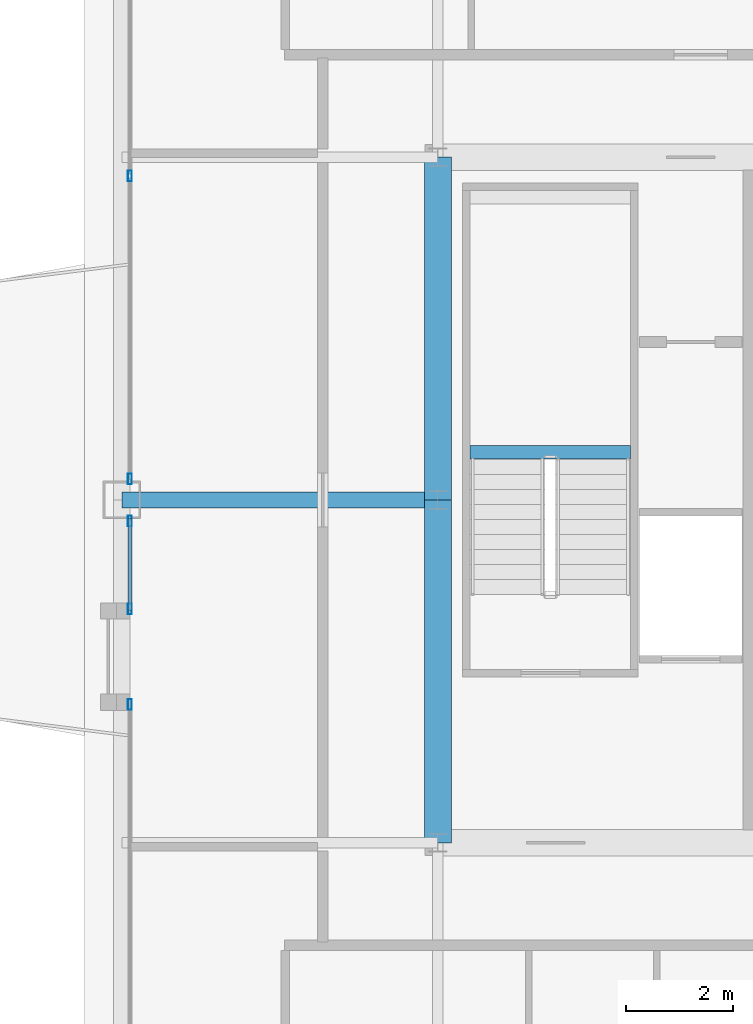
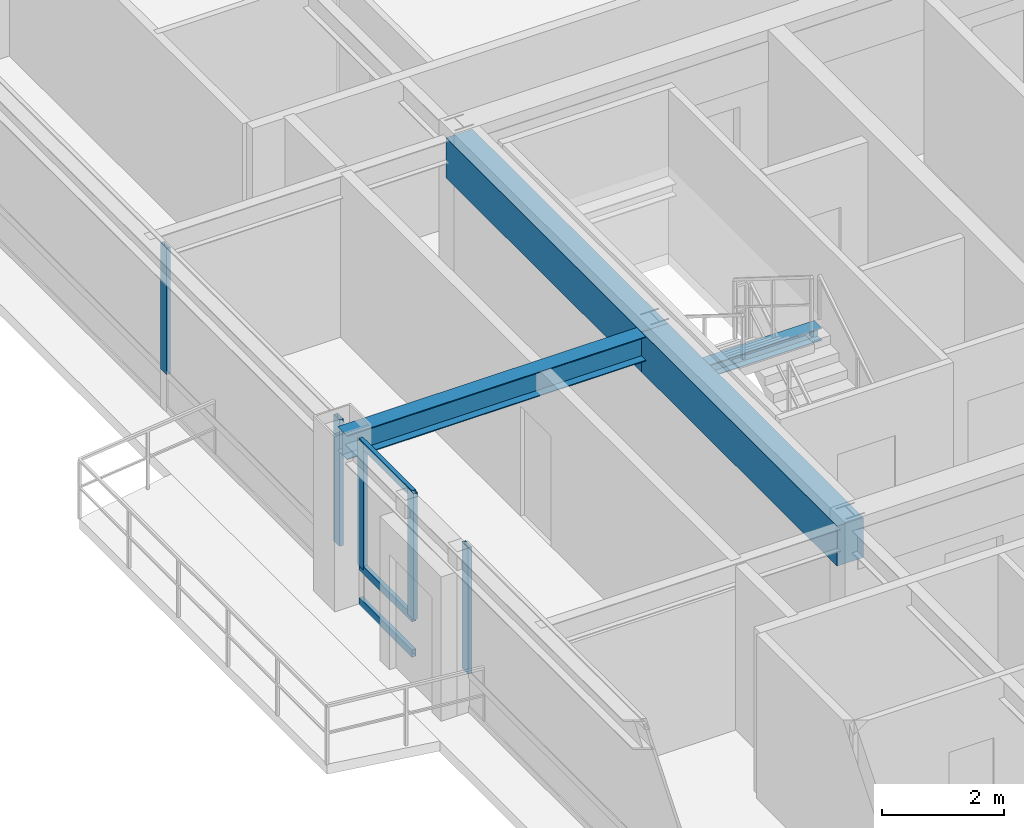
# One storey, part 9 of 33: 8 members, 4 beams, 3 elements without a shape of their own.
"""IFC4 building model written with IfcOpenShell, lengths in metres."""

from ifc_helpers import new_model, si_unit, direction, frame, origin, origin_2d, place, context, subcontext, project, spatial, rectangle, hollow_rectangle, i_section, extrude, source, transform, mapped, material, layer, layer_set, material_profile, profile_set, type_object, element, aggregate, save


model = new_model("IFC4")

# Units and contexts
model_context = context("Model", 3, precision=1e-05, world=origin(), true_north=direction((0.0, 1.0)))
body_context = subcontext(model_context, "Body", "Model", "MODEL_VIEW")
ifc_project = project(units=[si_unit("LENGTHUNIT", "METRE"), si_unit("AREAUNIT", "SQUARE_METRE"), si_unit("VOLUMEUNIT", "CUBIC_METRE"), si_unit("PLANEANGLEUNIT", "RADIAN"), si_unit("MASSUNIT", "GRAM", prefix="KILO"), si_unit("THERMODYNAMICTEMPERATUREUNIT", "KELVIN"), si_unit("POWERUNIT", "WATT")], contexts=[model_context])

# Site, building, storey
site_placement = place(None, origin())
site = spatial("IfcSite", under=ifc_project, at=site_placement, CompositionType="ELEMENT")
building_placement = place(site_placement, origin())
building = spatial("IfcBuilding", under=site, at=building_placement, Name="Yuzanri Waterfront Tower", CompositionType="ELEMENT")
storey_placement = place(building_placement, frame((0.0, 0.0, 321.699951171875)))
storey = spatial("IfcBuildingStorey", under=building, at=storey_placement, Name="L86", CompositionType="ELEMENT", Elevation=321.699951171875)

# Beams
ifc_material_1 = material(Name="Concrete C50", Category="concrete")
ifc_material_profile_1 = material_profile(ifc_material_1, rectangle(XDim=0.5, YDim=0.800048828125, at=origin_2d()), Name="RC 500x800")
ifc_profile_set_1 = profile_set([ifc_material_profile_1], Name="Concrete C50")
beam_type_1 = type_object("IfcBeamType", Name="Core Coupling Lintel Concrete C50 500x800", PredefinedType="LINTEL", material=ifc_profile_set_1)
shared_shape_1 = source(origin(), body_context, "Body", "SweptSolid", [
    extrude(rectangle(XDim=0.5, YDim=0.800048828125, at=origin_2d()), origin(), (0.0, 0.0, 1.0), 6.400146484375),
])
beam_1_placement = place(storey_placement, frame((23.800048828125, 19.39990234375, 2.880126953125), z_axis=(0.0, 1.0, 0.0), x_axis=(-1.0, 0.0, 0.0)))
element("IfcBeam", 1, at=beam_1_placement, inside=storey, type_object=beam_type_1, Name="L86 Core Tie Beam CW1", PredefinedType="LINTEL", context=body_context, shape_type="MappedRepresentation", body=[
    mapped(shared_shape_1, transform((0.0, 0.0, 0.0), scale=1.0)),
])
shared_shape_2 = source(origin(), body_context, "Body", "SweptSolid", [
    extrude(rectangle(XDim=0.5, YDim=0.800048828125, at=origin_2d()), origin(), (0.0, 0.0, 1.0), 6.39990234375),
])
beam_2_placement = place(storey_placement, frame((23.800048828125, 25.800048828125, 2.880126953125), z_axis=(0.0, 1.0, 0.0), x_axis=(-1.0, 0.0, 0.0)))
element("IfcBeam", 2, at=beam_2_placement, inside=storey, type_object=beam_type_1, Name="L86 Core Tie Beam CW2", PredefinedType="LINTEL", context=body_context, shape_type="MappedRepresentation", body=[
    mapped(shared_shape_2, transform((0.0, 0.0, 0.0), scale=1.0)),
])
ifc_material_2 = material(Name="Steel Q355B", Category="steel")
ifc_material_profile_2 = material_profile(ifc_material_2, i_section(OverallWidth=0.300048828125, OverallDepth=0.488037109375, WebThickness=0.010986328125, FlangeThickness=0.01806640625, at=origin_2d()), Name="HM 488x300x11x18")
ifc_profile_set_2 = profile_set([ifc_material_profile_2], Name="Steel Q355B")
beam_type_2 = type_object("IfcBeamType", Name="Primary Floor Girder Q355B HM 488x300", PredefinedType="BEAM", material=ifc_profile_set_2)
shared_shape_3 = source(origin(), body_context, "Body", "SweptSolid", [
    extrude(i_section(OverallWidth=0.300048828125, OverallDepth=0.488037109375, WebThickness=0.010986328125, FlangeThickness=0.01806640625, at=origin_2d()), origin(), (0.0, 0.0, 1.0), 5.900146484375),
])
beam_3_placement = place(storey_placement, frame((23.800048828125, 25.800048828125, 3.0361328125), z_axis=(-1.0, 0.0, 0.0), x_axis=(0.0, -1.0, 0.0)))
element("IfcBeam", 3, at=beam_3_placement, inside=storey, type_object=beam_type_2, Name="L86 West Grid Girder", PredefinedType="BEAM", context=body_context, shape_type="MappedRepresentation", body=[
    mapped(shared_shape_3, transform((0.0, 0.0, 0.0), scale=1.0)),
])

# Curtain wall, member
ifc_material_3 = material(Name="Anodized Architectural Bronze", Category="metal")
ifc_layer = layer(ifc_material_3, 0.159912109375)
ifc_layer_set = layer_set([ifc_layer], Name="Anodized Architectural Bronze")
curtain_wall_type = type_object("IfcCurtainWallType", Name="Anodized Bronze High-Rise Penthouse High-Wind Unitized Curtain Wall 6900", PredefinedType="NOTDEFINED", material=ifc_layer_set)
curtain_wall_1_placement = place(storey_placement, origin())
curtain_wall_1 = element("IfcCurtainWall", 4, at=curtain_wall_1_placement, inside=storey, type_object=curtain_wall_type, Name="L86 Curtain Wall CW-L86-WL1", PredefinedType="NOTDEFINED")
ifc_material_4 = material(Name="Anodized Architectural Bronze", Category="metal")
ifc_material_profile_3 = material_profile(ifc_material_4, hollow_rectangle(XDim=0.074951171875, YDim=0.199951171875, WallThickness=0.00390625, at=origin_2d()), Name="CWM 75x200")
ifc_profile_set_3 = profile_set([ifc_material_profile_3], Name="Anodized Architectural Bronze")
member_type_1 = type_object("IfcMemberType", Name="Anodized Bronze Primary Curtain-Wall Mullion 75x200", PredefinedType="MULLION", material=ifc_profile_set_3)
shared_shape_4 = source(origin(), body_context, "Body", "SweptSolid", [
    extrude(hollow_rectangle(XDim=0.074951171875, YDim=0.199951171875, WallThickness=0.00390625, at=origin_2d()), origin(), (0.0, 0.0, 1.0), 2.52392578125),
])
member_1_placement = place(storey_placement, frame((18.050048828125, 21.985107421875, 0.756103515625), z_axis=(0.0, 0.0, 1.0), x_axis=(1.0, 0.0, 0.0)))
member_1 = element("IfcMember", 5, at=member_1_placement, type_object=member_type_1, Name="CW-L86-WL1 Upper Mullion 01", PredefinedType="MULLION", context=body_context, shape_type="MappedRepresentation", body=[
    mapped(shared_shape_4, transform((0.0, 0.0, 0.0), scale=1.0)),
])
aggregate(curtain_wall_1, [member_1])

# Curtain wall, members
curtain_wall_2_placement = place(storey_placement, origin())
curtain_wall_2 = element("IfcCurtainWall", 6, at=curtain_wall_2_placement, inside=storey, type_object=curtain_wall_type, Name="L86 Curtain Wall CW-L86-WL2", PredefinedType="NOTDEFINED")
member_2_placement = place(storey_placement, frame((18.050048828125, 23.764892578125, 0.756103515625), z_axis=(0.0, 0.0, 1.0), x_axis=(1.0, 0.0, 0.0)))
member_2 = element("IfcMember", 7, at=member_2_placement, type_object=member_type_1, Name="CW-L86-WL2 Upper Mullion 00", PredefinedType="MULLION", context=body_context, shape_type="MappedRepresentation", body=[
    mapped(shared_shape_4, transform((0.0, 0.0, 0.0), scale=1.0)),
])
member_3_placement = place(storey_placement, frame((18.050048828125, 25.409912109375, 0.756103515625), z_axis=(0.0, 0.0, 1.0), x_axis=(1.0, 0.0, 0.0)))
member_3 = element("IfcMember", 8, at=member_3_placement, type_object=member_type_1, Name="CW-L86-WL2 Upper Mullion 01", PredefinedType="MULLION", context=body_context, shape_type="MappedRepresentation", body=[
    mapped(shared_shape_4, transform((0.0, 0.0, 0.0), scale=1.0)),
])

curtain_wall_3_placement = place(storey_placement, origin())
curtain_wall_3 = element("IfcCurtainWall", 9, at=curtain_wall_3_placement, inside=storey, type_object=curtain_wall_type, Name="L86 Curtain Wall CW-L86-WR", PredefinedType="NOTDEFINED")
member_4_placement = place(storey_placement, frame((18.050048828125, 26.18994140625, 0.756103515625), z_axis=(0.0, 0.0, 1.0), x_axis=(1.0, 0.0, 0.0)))
member_4 = element("IfcMember", 10, at=member_4_placement, type_object=member_type_1, Name="CW-L86-WR Upper Mullion 00", PredefinedType="MULLION", context=body_context, shape_type="MappedRepresentation", body=[
    mapped(shared_shape_4, transform((0.0, 0.0, 0.0), scale=1.0)),
])
member_5_placement = place(storey_placement, frame((18.050048828125, 31.85009765625, 0.756103515625), z_axis=(0.0, 0.0, 1.0), x_axis=(1.0, 0.0, 0.0)))
member_5 = element("IfcMember", 11, at=member_5_placement, type_object=member_type_1, Name="CW-L86-WR Upper Mullion 01", PredefinedType="MULLION", context=body_context, shape_type="MappedRepresentation", body=[
    mapped(shared_shape_4, transform((0.0, 0.0, 0.0), scale=1.0)),
])
aggregate(curtain_wall_3, [member_4, member_5])

# Member
ifc_material_5 = material(Name="Anodized Architectural Bronze", Category="metal")
ifc_material_profile_4 = material_profile(ifc_material_5, hollow_rectangle(XDim=0.074951171875, YDim=0.14990234375, WallThickness=0.00390625, at=origin_2d()), Name="CWT 75x150")
ifc_profile_set_4 = profile_set([ifc_material_profile_4], Name="Anodized Architectural Bronze")
member_type_2 = type_object("IfcMemberType", Name="Anodized Bronze Primary Curtain-Wall Transom 75x150", PredefinedType="USERDEFINED", material=ifc_profile_set_4)
shared_shape_5 = source(origin(), body_context, "Body", "SweptSolid", [
    extrude(hollow_rectangle(XDim=0.074951171875, YDim=0.14990234375, WallThickness=0.00390625, at=origin_2d()), origin(), (0.0, 0.0, 1.0), 1.724853515625),
])
member_6_placement = place(storey_placement, frame((18.050048828125, 23.72509765625, 0.050048828125), z_axis=(0.0, 1.0, 0.0), x_axis=(-1.0, 0.0, 0.0)))
member_6 = element("IfcMember", 12, at=member_6_placement, type_object=member_type_2, Name="CW-L86-WL2 Transom 1", ObjectType="TRANSOM", PredefinedType="USERDEFINED", context=body_context, shape_type="MappedRepresentation", body=[
    mapped(shared_shape_5, transform((0.0, 0.0, 0.0), scale=1.0)),
])

member_7_placement = place(storey_placement, frame((18.050048828125, 23.72509765625, 0.754150390625), z_axis=(0.0, 1.0, 0.0), x_axis=(-1.0, 0.0, 0.0)))
member_7 = element("IfcMember", 13, at=member_7_placement, type_object=member_type_2, Name="CW-L86-WL2 Transom 2", ObjectType="TRANSOM", PredefinedType="USERDEFINED", context=body_context, shape_type="MappedRepresentation", body=[
    mapped(shared_shape_5, transform((0.0, 0.0, 0.0), scale=1.0)),
])

member_8_placement = place(storey_placement, frame((18.050048828125, 23.72509765625, 3.22998046875), z_axis=(0.0, 1.0, 0.0), x_axis=(-1.0, 0.0, 0.0)))
member_8 = element("IfcMember", 14, at=member_8_placement, type_object=member_type_2, Name="CW-L86-WL2 Transom 3", ObjectType="TRANSOM", PredefinedType="USERDEFINED", context=body_context, shape_type="MappedRepresentation", body=[
    mapped(shared_shape_5, transform((0.0, 0.0, 0.0), scale=1.0)),
])

aggregate(curtain_wall_2, [member_2, member_3, member_6, member_7, member_8])

# Beam
ifc_material_6 = material(Name="Steel Q355B", Category="steel")
ifc_material_profile_5 = material_profile(ifc_material_6, i_section(OverallWidth=0.25, OverallDepth=0.25, WebThickness=0.009033203125, FlangeThickness=0.013916015625, at=origin_2d()), Name="HW 250x250x9x14")
ifc_profile_set_5 = profile_set([ifc_material_profile_5], Name="Steel Q355B")
beam_type_3 = type_object("IfcBeamType", Name="Stair Landing Support Beam Q355B HW 250x250", PredefinedType="BEAM", material=ifc_profile_set_5)
shared_shape_6 = source(origin(), body_context, "Body", "SweptSolid", [
    extrude(i_section(OverallWidth=0.25, OverallDepth=0.25, WebThickness=0.009033203125, FlangeThickness=0.013916015625, at=origin_2d()), origin(), (0.0, 0.0, 1.0), 3.0),
])
beam_4_placement = place(storey_placement, frame((24.39990234375, 26.68994140625, 1.425048828125), z_axis=(1.0, 0.0, 0.0), x_axis=(0.0, 1.0, 0.0)))
element("IfcBeam", 15, at=beam_4_placement, inside=storey, type_object=beam_type_3, Name="L86 Stair Landing Support Beam ST-01-L86-L1-1", PredefinedType="BEAM", context=body_context, shape_type="MappedRepresentation", body=[
    mapped(shared_shape_6, transform((0.0, 0.0, 0.0), scale=1.0)),
])

save(model, "model.ifc")
